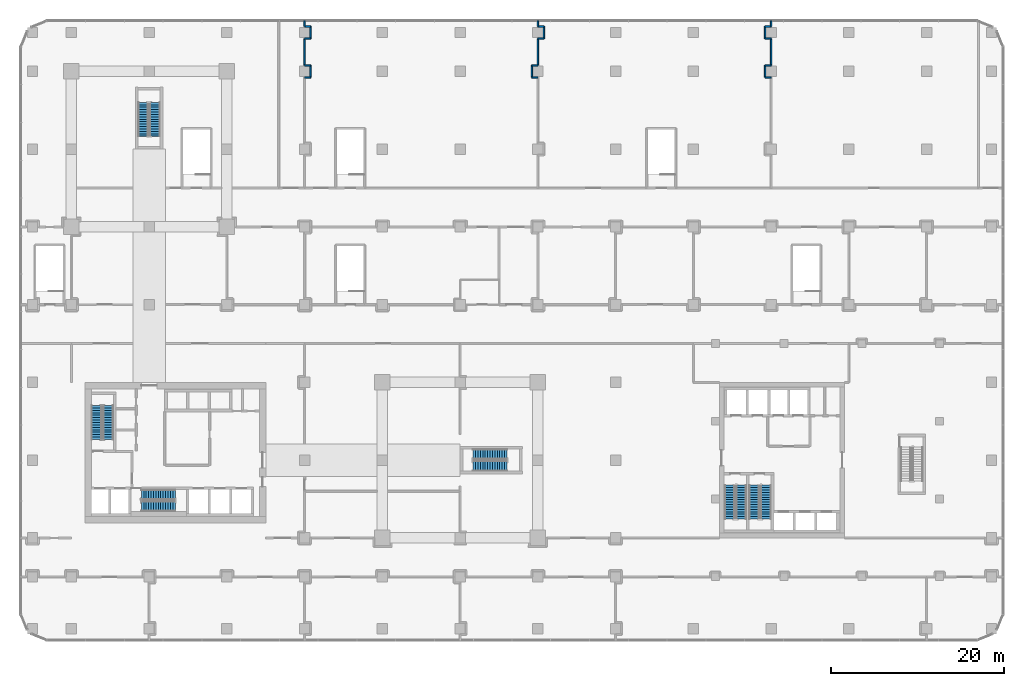
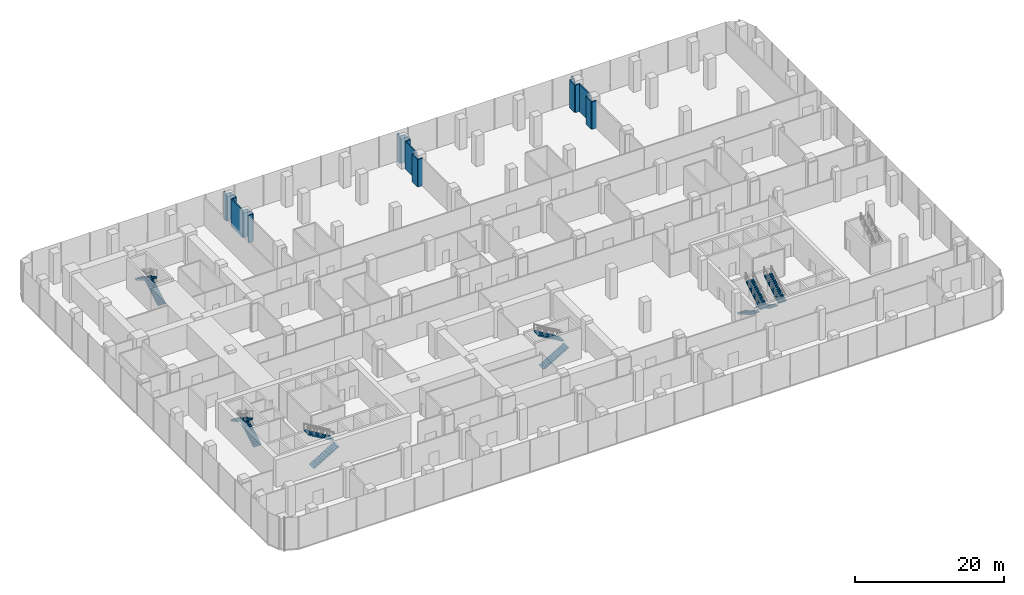
# One storey, part 32 of 36: 24 walls, 12 stair flights, 6 elements without a shape of their own.
"""IFC4 building model written with IfcOpenShell, lengths in metres."""

from ifc_helpers import new_model, si_unit, direction, frame, frame_2d, origin, place, context, subcontext, project, spatial, polyline, rectangle, outline, extrude, material, layer, layer_set, type_object, element, aggregate, save


model = new_model("IFC4")

# Units and contexts
model_context = context("Model", 3, precision=1e-05, world=origin(), true_north=direction((0.0, 1.0)))
body_context = subcontext(model_context, "Body", "Model", "MODEL_VIEW")
ifc_project = project(units=[si_unit("LENGTHUNIT", "METRE"), si_unit("AREAUNIT", "SQUARE_METRE"), si_unit("VOLUMEUNIT", "CUBIC_METRE"), si_unit("PLANEANGLEUNIT", "RADIAN"), si_unit("MASSUNIT", "GRAM", prefix="KILO")], contexts=[model_context])

# Site, building, storey
site_placement = place(None, origin())
site = spatial("IfcSite", under=ifc_project, at=site_placement, CompositionType="ELEMENT")
building_placement = place(site_placement, origin())
building = spatial("IfcBuilding", under=site, at=building_placement, Name="Plateau Cross Towers", CompositionType="ELEMENT")
storey_placement = place(building_placement, frame((0.0, 0.0, 21.800048828125)))
storey = spatial("IfcBuildingStorey", under=building, at=storey_placement, Name="L04", CompositionType="ELEMENT", Elevation=21.800048828125)

# Walls
ifc_material_1 = material(Name="Dense masonry block, plastered, acoustic lining", Category="masonry")
ifc_layer = layer(ifc_material_1, 0.179931640625)
ifc_layer_set = layer_set([ifc_layer], Name="Dense masonry block, plastered, acoustic lining")
wall_type = type_object("IfcWallType", Name="Plant room acoustic wall 180", PredefinedType="PARTITIONING", material=ifc_layer_set)
wall_1_placement = place(storey_placement, frame((81.0, 59.85009765625, 0.0), z_axis=(0.0, 0.0, 1.0), x_axis=(0.0, -1.0, 0.0)))
element("IfcWall", 1, at=wall_1_placement, inside=storey, type_object=wall_type, Name="Partition wall", PredefinedType="PARTITIONING", context=body_context, shape_type="SweptSolid", body=[
    extrude(rectangle(XDim=0.650146484375, YDim=0.179931640625, at=frame_2d((0.3251953125, 0.0))), origin(), (0.0, 0.0, 1.0), 4.5),
])
wall_2_placement = place(storey_placement, frame((81.0, 59.199951171875, 0.0), z_axis=(0.0, 0.0, 1.0), x_axis=(-1.0, 0.0, 0.0)))
element("IfcWall", 2, at=wall_2_placement, inside=storey, type_object=wall_type, Name="Partition wall", PredefinedType="PARTITIONING", context=body_context, shape_type="SweptSolid", body=[
    extrude(rectangle(XDim=0.699951171875, YDim=0.179931640625, at=frame_2d((0.35009765625, 0.0))), origin(), (0.0, 0.0, 1.0), 4.5),
])
wall_3_placement = place(storey_placement, frame((80.300048828125, 59.199951171875, 0.0), z_axis=(0.0, 0.0, 1.0), x_axis=(0.0, -1.0, 0.0)))
element("IfcWall", 3, at=wall_3_placement, inside=storey, type_object=wall_type, Name="Partition wall", PredefinedType="PARTITIONING", context=body_context, shape_type="SweptSolid", body=[
    extrude(rectangle(XDim=1.39990234375, YDim=0.179931640625, at=frame_2d((0.699951171875, 0.0))), origin(), (0.0, 0.0, 1.0), 4.5),
])
wall_4_placement = place(storey_placement, frame((80.300048828125, 57.800048828125, 0.0), z_axis=(0.0, 0.0, 1.0), x_axis=(1.0, 0.0, 0.0)))
element("IfcWall", 4, at=wall_4_placement, inside=storey, type_object=wall_type, Name="Partition wall", PredefinedType="PARTITIONING", context=body_context, shape_type="SweptSolid", body=[
    extrude(rectangle(XDim=0.699951171875, YDim=0.179931640625, at=frame_2d((0.35009765625, 0.0))), origin(), (0.0, 0.0, 1.0), 4.5),
])
wall_5_placement = place(storey_placement, frame((81.0, 57.800048828125, 0.0), z_axis=(0.0, 0.0, 1.0), x_axis=(0.0, -1.0, 0.0)))
element("IfcWall", 5, at=wall_5_placement, inside=storey, type_object=wall_type, Name="Partition wall", PredefinedType="PARTITIONING", context=body_context, shape_type="SweptSolid", body=[
    extrude(rectangle(XDim=3.10009765625, YDim=0.179931640625, at=frame_2d((1.550048828125, 0.0))), origin(), (0.0, 0.0, 1.0), 4.5),
])
wall_6_placement = place(storey_placement, frame((81.0, 54.699951171875, 0.0), z_axis=(0.0, 0.0, 1.0), x_axis=(-1.0, 0.0, 0.0)))
element("IfcWall", 6, at=wall_6_placement, inside=storey, type_object=wall_type, Name="Partition wall", PredefinedType="PARTITIONING", context=body_context, shape_type="SweptSolid", body=[
    extrude(rectangle(XDim=0.699951171875, YDim=0.179931640625, at=frame_2d((0.35009765625, 0.0))), origin(), (0.0, 0.0, 1.0), 4.5),
])
wall_7_placement = place(storey_placement, frame((80.300048828125, 54.699951171875, 0.0), z_axis=(0.0, 0.0, 1.0), x_axis=(0.0, -1.0, 0.0)))
element("IfcWall", 7, at=wall_7_placement, inside=storey, type_object=wall_type, Name="Partition wall", PredefinedType="PARTITIONING", context=body_context, shape_type="SweptSolid", body=[
    extrude(rectangle(XDim=1.39990234375, YDim=0.179931640625, at=frame_2d((0.699951171875, 0.0))), origin(), (0.0, 0.0, 1.0), 4.5),
])
wall_8_placement = place(storey_placement, frame((80.300048828125, 53.300048828125, 0.0), z_axis=(0.0, 0.0, 1.0), x_axis=(1.0, 0.0, 0.0)))
element("IfcWall", 8, at=wall_8_placement, inside=storey, type_object=wall_type, Name="Partition wall", PredefinedType="PARTITIONING", context=body_context, shape_type="SweptSolid", body=[
    extrude(rectangle(XDim=0.699951171875, YDim=0.179931640625, at=frame_2d((0.35009765625, 0.0))), origin(), (0.0, 0.0, 1.0), 4.5),
])
wall_9_placement = place(storey_placement, frame((54.0, 59.85009765625, 0.0), z_axis=(0.0, 0.0, 1.0), x_axis=(0.0, -1.0, 0.0)))
element("IfcWall", 9, at=wall_9_placement, inside=storey, type_object=wall_type, Name="Partition wall", PredefinedType="PARTITIONING", context=body_context, shape_type="SweptSolid", body=[
    extrude(rectangle(XDim=0.650146484375, YDim=0.179931640625, at=frame_2d((0.3251953125, 0.0))), origin(), (0.0, 0.0, 1.0), 4.5),
])
wall_10_placement = place(storey_placement, frame((54.0, 59.199951171875, 0.0), z_axis=(0.0, 0.0, 1.0), x_axis=(1.0, 0.0, 0.0)))
element("IfcWall", 10, at=wall_10_placement, inside=storey, type_object=wall_type, Name="Partition wall", PredefinedType="PARTITIONING", context=body_context, shape_type="SweptSolid", body=[
    extrude(rectangle(XDim=0.699951171875, YDim=0.179931640625, at=frame_2d((0.35009765625, 0.0))), origin(), (0.0, 0.0, 1.0), 4.5),
])
wall_11_placement = place(storey_placement, frame((54.699951171875, 59.199951171875, 0.0), z_axis=(0.0, 0.0, 1.0), x_axis=(0.0, -1.0, 0.0)))
element("IfcWall", 11, at=wall_11_placement, inside=storey, type_object=wall_type, Name="Partition wall", PredefinedType="PARTITIONING", context=body_context, shape_type="SweptSolid", body=[
    extrude(rectangle(XDim=1.39990234375, YDim=0.179931640625, at=frame_2d((0.699951171875, 0.0))), origin(), (0.0, 0.0, 1.0), 4.5),
])
wall_12_placement = place(storey_placement, frame((54.699951171875, 57.800048828125, 0.0), z_axis=(0.0, 0.0, 1.0), x_axis=(-1.0, 0.0, 0.0)))
element("IfcWall", 12, at=wall_12_placement, inside=storey, type_object=wall_type, Name="Partition wall", PredefinedType="PARTITIONING", context=body_context, shape_type="SweptSolid", body=[
    extrude(rectangle(XDim=0.699951171875, YDim=0.179931640625, at=frame_2d((0.35009765625, 0.0))), origin(), (0.0, 0.0, 1.0), 4.5),
])
wall_13_placement = place(storey_placement, frame((54.0, 57.800048828125, 0.0), z_axis=(0.0, 0.0, 1.0), x_axis=(0.0, -1.0, 0.0)))
element("IfcWall", 13, at=wall_13_placement, inside=storey, type_object=wall_type, Name="Partition wall", PredefinedType="PARTITIONING", context=body_context, shape_type="SweptSolid", body=[
    extrude(rectangle(XDim=3.10009765625, YDim=0.179931640625, at=frame_2d((1.550048828125, 0.0))), origin(), (0.0, 0.0, 1.0), 4.5),
])
wall_14_placement = place(storey_placement, frame((54.0, 54.699951171875, 0.0), z_axis=(0.0, 0.0, 1.0), x_axis=(-1.0, 0.0, 0.0)))
element("IfcWall", 14, at=wall_14_placement, inside=storey, type_object=wall_type, Name="Partition wall", PredefinedType="PARTITIONING", context=body_context, shape_type="SweptSolid", body=[
    extrude(rectangle(XDim=0.699951171875, YDim=0.179931640625, at=frame_2d((0.35009765625, 0.0))), origin(), (0.0, 0.0, 1.0), 4.5),
])
wall_15_placement = place(storey_placement, frame((53.300048828125, 54.699951171875, 0.0), z_axis=(0.0, 0.0, 1.0), x_axis=(0.0, -1.0, 0.0)))
element("IfcWall", 15, at=wall_15_placement, inside=storey, type_object=wall_type, Name="Partition wall", PredefinedType="PARTITIONING", context=body_context, shape_type="SweptSolid", body=[
    extrude(rectangle(XDim=1.39990234375, YDim=0.179931640625, at=frame_2d((0.699951171875, 0.0))), origin(), (0.0, 0.0, 1.0), 4.5),
])
wall_16_placement = place(storey_placement, frame((53.300048828125, 53.300048828125, 0.0), z_axis=(0.0, 0.0, 1.0), x_axis=(1.0, 0.0, 0.0)))
element("IfcWall", 16, at=wall_16_placement, inside=storey, type_object=wall_type, Name="Partition wall", PredefinedType="PARTITIONING", context=body_context, shape_type="SweptSolid", body=[
    extrude(rectangle(XDim=0.699951171875, YDim=0.179931640625, at=frame_2d((0.35009765625, 0.0))), origin(), (0.0, 0.0, 1.0), 4.5),
])
wall_17_placement = place(storey_placement, frame((27.0, 59.85009765625, 0.0), z_axis=(0.0, 0.0, 1.0), x_axis=(0.0, -1.0, 0.0)))
element("IfcWall", 17, at=wall_17_placement, inside=storey, type_object=wall_type, Name="Partition wall", PredefinedType="PARTITIONING", context=body_context, shape_type="SweptSolid", body=[
    extrude(rectangle(XDim=0.650146484375, YDim=0.179931640625, at=frame_2d((0.3251953125, 0.0))), origin(), (0.0, 0.0, 1.0), 4.5),
])
wall_18_placement = place(storey_placement, frame((27.0, 59.199951171875, 0.0), z_axis=(0.0, 0.0, 1.0), x_axis=(1.0, 0.0, 0.0)))
element("IfcWall", 18, at=wall_18_placement, inside=storey, type_object=wall_type, Name="Partition wall", PredefinedType="PARTITIONING", context=body_context, shape_type="SweptSolid", body=[
    extrude(rectangle(XDim=0.699951171875, YDim=0.179931640625, at=frame_2d((0.35009765625, 0.0))), origin(), (0.0, 0.0, 1.0), 4.5),
])
wall_19_placement = place(storey_placement, frame((27.699951171875, 59.199951171875, 0.0), z_axis=(0.0, 0.0, 1.0), x_axis=(0.0, -1.0, 0.0)))
element("IfcWall", 19, at=wall_19_placement, inside=storey, type_object=wall_type, Name="Partition wall", PredefinedType="PARTITIONING", context=body_context, shape_type="SweptSolid", body=[
    extrude(rectangle(XDim=1.39990234375, YDim=0.179931640625, at=frame_2d((0.699951171875, 0.0))), origin(), (0.0, 0.0, 1.0), 4.5),
])
wall_20_placement = place(storey_placement, frame((27.699951171875, 57.800048828125, 0.0), z_axis=(0.0, 0.0, 1.0), x_axis=(-1.0, 0.0, 0.0)))
element("IfcWall", 20, at=wall_20_placement, inside=storey, type_object=wall_type, Name="Partition wall", PredefinedType="PARTITIONING", context=body_context, shape_type="SweptSolid", body=[
    extrude(rectangle(XDim=0.699951171875, YDim=0.179931640625, at=frame_2d((0.35009765625, 0.0))), origin(), (0.0, 0.0, 1.0), 4.5),
])
wall_21_placement = place(storey_placement, frame((27.0, 57.800048828125, 0.0), z_axis=(0.0, 0.0, 1.0), x_axis=(0.0, -1.0, 0.0)))
element("IfcWall", 21, at=wall_21_placement, inside=storey, type_object=wall_type, Name="Partition wall", PredefinedType="PARTITIONING", context=body_context, shape_type="SweptSolid", body=[
    extrude(rectangle(XDim=3.10009765625, YDim=0.179931640625, at=frame_2d((1.550048828125, 0.0))), origin(), (0.0, 0.0, 1.0), 4.5),
])
wall_22_placement = place(storey_placement, frame((27.0, 54.699951171875, 0.0), z_axis=(0.0, 0.0, 1.0), x_axis=(1.0, 0.0, 0.0)))
element("IfcWall", 22, at=wall_22_placement, inside=storey, type_object=wall_type, Name="Partition wall", PredefinedType="PARTITIONING", context=body_context, shape_type="SweptSolid", body=[
    extrude(rectangle(XDim=0.699951171875, YDim=0.179931640625, at=frame_2d((0.35009765625, 0.0))), origin(), (0.0, 0.0, 1.0), 4.5),
])
wall_23_placement = place(storey_placement, frame((27.699951171875, 54.699951171875, 0.0), z_axis=(0.0, 0.0, 1.0), x_axis=(0.0, -1.0, 0.0)))
element("IfcWall", 23, at=wall_23_placement, inside=storey, type_object=wall_type, Name="Partition wall", PredefinedType="PARTITIONING", context=body_context, shape_type="SweptSolid", body=[
    extrude(rectangle(XDim=1.39990234375, YDim=0.179931640625, at=frame_2d((0.699951171875, 0.0))), origin(), (0.0, 0.0, 1.0), 4.5),
])
wall_24_placement = place(storey_placement, frame((27.699951171875, 53.300048828125, 0.0), z_axis=(0.0, 0.0, 1.0), x_axis=(-1.0, 0.0, 0.0)))
element("IfcWall", 24, at=wall_24_placement, inside=storey, type_object=wall_type, Name="Partition wall", PredefinedType="PARTITIONING", context=body_context, shape_type="SweptSolid", body=[
    extrude(rectangle(XDim=0.699951171875, YDim=0.179931640625, at=frame_2d((0.35009765625, 0.0))), origin(), (0.0, 0.0, 1.0), 4.5),
])

# Stair, stair flights
ifc_material_2 = material(Name="Concrete C40/50", Category="concrete")
stair_type = type_object("IfcStairType", Name="ST-TWR", PredefinedType="HALF_TURN_STAIR", material=ifc_material_2)
stair_1_placement = place(storey_placement, origin())
stair_1 = element("IfcStair", 25, at=stair_1_placement, inside=storey, type_object=stair_type, Name="L04 Protected Exit Stair ST-1", PredefinedType="HALF_TURN_STAIR")
stair_flight_type = type_object("IfcStairFlightType", Name="SFL-RC", PredefinedType="STRAIGHT", material=ifc_material_2)
stair_flight_1_placement = place(storey_placement, frame((4.25, 11.39990234375, 0.0), z_axis=(0.0, 0.0, 1.0), x_axis=(0.0, 1.0, 0.0)))
stair_flight_1 = element("IfcStairFlight", 26, at=stair_flight_1_placement, type_object=stair_flight_type, Name="ST-1 flight 1", NumberOfRisers=15, NumberOfTreads=14, PredefinedType="STRAIGHT", RiserHeight=0.166666667, TreadLength=0.28, context=body_context, shape_type="SweptSolid", body=[
    extrude(outline(polyline([(-0.0048828125, -0.010009765625), (-0.0048828125, 0.0), (0.0, 0.0), (0.0, 0.166748046875), (0.280029296875, 0.166748046875), (0.280029296875, 0.333251953125), (0.56005859375, 0.333251953125), (0.56005859375, 0.5), (0.840087890625, 0.5), (0.840087890625, 0.666748046875), (1.1201171875, 0.666748046875), (1.1201171875, 0.833251953125), (1.39990234375, 0.833251953125), (1.39990234375, 1.0), (1.679931640625, 1.0), (1.679931640625, 1.166748046875), (1.9599609375, 1.166748046875), (1.9599609375, 1.333251953125), (2.239990234375, 1.333251953125), (2.239990234375, 1.5), (2.52001953125, 1.5), (2.52001953125, 1.666748046875), (2.800048828125, 1.666748046875), (2.800048828125, 1.833251953125), (3.080078125, 1.833251953125), (3.080078125, 2.0), (3.360107421875, 2.0), (3.360107421875, 2.166748046875), (3.639892578125, 2.166748046875), (3.639892578125, 2.333251953125), (3.919921875, 2.333251953125), (3.925048828125, 2.3232421875), (3.925048828125, 2.158935546875), (3.919921875, 2.158935546875), (0.29296875, 0.0), (0.02001953125, 0.0), (0.02001953125, -0.010009765625), (-0.0048828125, -0.010009765625)])), frame((0.0, 0.60009765625, 0.0), z_axis=(0.0, -1.0, 0.0), x_axis=(1.0, 0.0, 0.0)), (0.0, 0.0, 1.0), 1.199951171875),
])
stair_flight_2_placement = place(storey_placement, frame((2.89990234375, 15.320068359375, 2.5), z_axis=(0.0, 0.0, 1.0), x_axis=(0.0, -1.0, 0.0)))
stair_flight_2 = element("IfcStairFlight", 27, at=stair_flight_2_placement, type_object=stair_flight_type, Name="ST-1 flight 2", NumberOfRisers=15, NumberOfTreads=14, PredefinedType="STRAIGHT", RiserHeight=0.166666667, TreadLength=0.28, context=body_context, shape_type="SweptSolid", body=[
    extrude(outline(polyline([(-0.0048828125, -0.010009765625), (-0.0048828125, 0.0), (0.0, 0.0), (0.0, 0.166748046875), (0.280029296875, 0.166748046875), (0.280029296875, 0.333251953125), (0.56005859375, 0.333251953125), (0.56005859375, 0.5), (0.840087890625, 0.5), (0.840087890625, 0.666748046875), (1.1201171875, 0.666748046875), (1.1201171875, 0.833251953125), (1.39990234375, 0.833251953125), (1.39990234375, 1.0), (1.679931640625, 1.0), (1.679931640625, 1.166748046875), (1.9599609375, 1.166748046875), (1.9599609375, 1.333251953125), (2.239990234375, 1.333251953125), (2.239990234375, 1.5), (2.52001953125, 1.5), (2.52001953125, 1.666748046875), (2.800048828125, 1.666748046875), (2.800048828125, 1.833251953125), (3.080078125, 1.833251953125), (3.080078125, 2.0), (3.360107421875, 2.0), (3.360107421875, 2.166748046875), (3.639892578125, 2.166748046875), (3.639892578125, 2.333251953125), (3.919921875, 2.333251953125), (3.925048828125, 2.3232421875), (3.925048828125, 2.158935546875), (3.919921875, 2.158935546875), (0.29296875, 0.0), (0.02001953125, 0.0), (0.02001953125, -0.010009765625), (-0.0048828125, -0.010009765625)])), frame((0.0, 0.60009765625, 0.0), z_axis=(0.0, -1.0, 0.0), x_axis=(1.0, 0.0, 0.0)), (0.0, 0.0, 1.0), 1.199951171875),
])
aggregate(stair_1, [stair_flight_1, stair_flight_2])

stair_2_placement = place(storey_placement, origin())
stair_2 = element("IfcStair", 28, at=stair_2_placement, inside=storey, type_object=stair_type, Name="L04 Protected Exit Stair ST-2", PredefinedType="HALF_TURN_STAIR")
stair_flight_3_placement = place(storey_placement, frame((8.10009765625, 3.64990234375, 0.0), z_axis=(0.0, 0.0, 1.0), x_axis=(1.0, 0.0, 0.0)))
stair_flight_3 = element("IfcStairFlight", 29, at=stair_flight_3_placement, type_object=stair_flight_type, Name="ST-2 flight 1", NumberOfRisers=15, NumberOfTreads=14, PredefinedType="STRAIGHT", RiserHeight=0.166666667, TreadLength=0.28, context=body_context, shape_type="SweptSolid", body=[
    extrude(outline(polyline([(-0.0048828125, -0.010009765625), (-0.0048828125, 0.0), (0.0, 0.0), (0.0, 0.166748046875), (0.280029296875, 0.166748046875), (0.280029296875, 0.333251953125), (0.56005859375, 0.333251953125), (0.56005859375, 0.5), (0.840087890625, 0.5), (0.840087890625, 0.666748046875), (1.1201171875, 0.666748046875), (1.1201171875, 0.833251953125), (1.39990234375, 0.833251953125), (1.39990234375, 1.0), (1.679931640625, 1.0), (1.679931640625, 1.166748046875), (1.9599609375, 1.166748046875), (1.9599609375, 1.333251953125), (2.239990234375, 1.333251953125), (2.239990234375, 1.5), (2.52001953125, 1.5), (2.52001953125, 1.666748046875), (2.800048828125, 1.666748046875), (2.800048828125, 1.833251953125), (3.080078125, 1.833251953125), (3.080078125, 2.0), (3.360107421875, 2.0), (3.360107421875, 2.166748046875), (3.639892578125, 2.166748046875), (3.639892578125, 2.333251953125), (3.919921875, 2.333251953125), (3.925048828125, 2.3232421875), (3.925048828125, 2.158935546875), (3.919921875, 2.158935546875), (0.29296875, 0.0), (0.02001953125, 0.0), (0.02001953125, -0.010009765625), (-0.0048828125, -0.010009765625)])), frame((0.0, 0.60009765625, 0.0), z_axis=(0.0, -1.0, 0.0), x_axis=(1.0, 0.0, 0.0)), (0.0, 0.0, 1.0), 1.199951171875),
])
stair_flight_4_placement = place(storey_placement, frame((12.02001953125, 5.0, 2.5), z_axis=(0.0, 0.0, 1.0), x_axis=(-1.0, 0.0, 0.0)))
stair_flight_4 = element("IfcStairFlight", 30, at=stair_flight_4_placement, type_object=stair_flight_type, Name="ST-2 flight 2", NumberOfRisers=15, NumberOfTreads=14, PredefinedType="STRAIGHT", RiserHeight=0.166666667, TreadLength=0.28, context=body_context, shape_type="SweptSolid", body=[
    extrude(outline(polyline([(-0.0048828125, -0.010009765625), (-0.0048828125, 0.0), (0.0, 0.0), (0.0, 0.166748046875), (0.280029296875, 0.166748046875), (0.280029296875, 0.333251953125), (0.56005859375, 0.333251953125), (0.56005859375, 0.5), (0.840087890625, 0.5), (0.840087890625, 0.666748046875), (1.1201171875, 0.666748046875), (1.1201171875, 0.833251953125), (1.39990234375, 0.833251953125), (1.39990234375, 1.0), (1.679931640625, 1.0), (1.679931640625, 1.166748046875), (1.9599609375, 1.166748046875), (1.9599609375, 1.333251953125), (2.239990234375, 1.333251953125), (2.239990234375, 1.5), (2.52001953125, 1.5), (2.52001953125, 1.666748046875), (2.800048828125, 1.666748046875), (2.800048828125, 1.833251953125), (3.080078125, 1.833251953125), (3.080078125, 2.0), (3.360107421875, 2.0), (3.360107421875, 2.166748046875), (3.639892578125, 2.166748046875), (3.639892578125, 2.333251953125), (3.919921875, 2.333251953125), (3.925048828125, 2.3232421875), (3.925048828125, 2.158935546875), (3.919921875, 2.158935546875), (0.29296875, 0.0), (0.02001953125, 0.0), (0.02001953125, -0.010009765625), (-0.0048828125, -0.010009765625)])), frame((0.0, 0.60009765625, 0.0), z_axis=(0.0, -1.0, 0.0), x_axis=(1.0, 0.0, 0.0)), (0.0, 0.0, 1.0), 1.199951171875),
])
aggregate(stair_2, [stair_flight_3, stair_flight_4])

stair_3_placement = place(storey_placement, origin())
stair_3 = element("IfcStair", 31, at=stair_3_placement, inside=storey, type_object=stair_type, Name="L04 Protected Exit Stair SB-1", PredefinedType="HALF_TURN_STAIR")
stair_flight_5_placement = place(storey_placement, frame((76.199951171875, 6.10009765625, 0.0), z_axis=(0.0, 0.0, 1.0), x_axis=(0.0, -1.0, 0.0)))
stair_flight_5 = element("IfcStairFlight", 32, at=stair_flight_5_placement, type_object=stair_flight_type, Name="SB-1 flight 1", NumberOfRisers=15, NumberOfTreads=14, PredefinedType="STRAIGHT", RiserHeight=0.166666667, TreadLength=0.28, context=body_context, shape_type="SweptSolid", body=[
    extrude(outline(polyline([(-0.0048828125, -0.010009765625), (-0.0048828125, 0.0), (0.0, 0.0), (0.0, 0.166748046875), (0.280029296875, 0.166748046875), (0.280029296875, 0.333251953125), (0.56005859375, 0.333251953125), (0.56005859375, 0.5), (0.840087890625, 0.5), (0.840087890625, 0.666748046875), (1.1201171875, 0.666748046875), (1.1201171875, 0.833251953125), (1.39990234375, 0.833251953125), (1.39990234375, 1.0), (1.679931640625, 1.0), (1.679931640625, 1.166748046875), (1.9599609375, 1.166748046875), (1.9599609375, 1.333251953125), (2.239990234375, 1.333251953125), (2.239990234375, 1.5), (2.52001953125, 1.5), (2.52001953125, 1.666748046875), (2.800048828125, 1.666748046875), (2.800048828125, 1.833251953125), (3.080078125, 1.833251953125), (3.080078125, 2.0), (3.360107421875, 2.0), (3.360107421875, 2.166748046875), (3.639892578125, 2.166748046875), (3.639892578125, 2.333251953125), (3.919921875, 2.333251953125), (3.925048828125, 2.3232421875), (3.925048828125, 2.158935546875), (3.919921875, 2.158935546875), (0.29296875, 0.0), (0.02001953125, 0.0), (0.02001953125, -0.010009765625), (-0.0048828125, -0.010009765625)])), frame((0.0, 0.60009765625, 0.0), z_axis=(0.0, -1.0, 0.0), x_axis=(1.0, 0.0, 0.0)), (0.0, 0.0, 1.0), 1.199951171875),
])
stair_flight_6_placement = place(storey_placement, frame((77.550048828125, 2.179931640625, 2.5), z_axis=(0.0, 0.0, 1.0), x_axis=(0.0, 1.0, 0.0)))
stair_flight_6 = element("IfcStairFlight", 33, at=stair_flight_6_placement, type_object=stair_flight_type, Name="SB-1 flight 2", NumberOfRisers=15, NumberOfTreads=14, PredefinedType="STRAIGHT", RiserHeight=0.166666667, TreadLength=0.28, context=body_context, shape_type="SweptSolid", body=[
    extrude(outline(polyline([(-0.0048828125, -0.010009765625), (-0.0048828125, 0.0), (0.0, 0.0), (0.0, 0.166748046875), (0.280029296875, 0.166748046875), (0.280029296875, 0.333251953125), (0.56005859375, 0.333251953125), (0.56005859375, 0.5), (0.840087890625, 0.5), (0.840087890625, 0.666748046875), (1.1201171875, 0.666748046875), (1.1201171875, 0.833251953125), (1.39990234375, 0.833251953125), (1.39990234375, 1.0), (1.679931640625, 1.0), (1.679931640625, 1.166748046875), (1.9599609375, 1.166748046875), (1.9599609375, 1.333251953125), (2.239990234375, 1.333251953125), (2.239990234375, 1.5), (2.52001953125, 1.5), (2.52001953125, 1.666748046875), (2.800048828125, 1.666748046875), (2.800048828125, 1.833251953125), (3.080078125, 1.833251953125), (3.080078125, 2.0), (3.360107421875, 2.0), (3.360107421875, 2.166748046875), (3.639892578125, 2.166748046875), (3.639892578125, 2.333251953125), (3.919921875, 2.333251953125), (3.925048828125, 2.3232421875), (3.925048828125, 2.158935546875), (3.919921875, 2.158935546875), (0.29296875, 0.0), (0.02001953125, 0.0), (0.02001953125, -0.010009765625), (-0.0048828125, -0.010009765625)])), frame((0.0, 0.60009765625, 0.0), z_axis=(0.0, -1.0, 0.0), x_axis=(1.0, 0.0, 0.0)), (0.0, 0.0, 1.0), 1.199951171875),
])
aggregate(stair_3, [stair_flight_5, stair_flight_6])

stair_4_placement = place(storey_placement, origin())
stair_4 = element("IfcStair", 34, at=stair_4_placement, inside=storey, type_object=stair_type, Name="L04 Protected Exit Stair SB-2", PredefinedType="HALF_TURN_STAIR")
stair_flight_7_placement = place(storey_placement, frame((79.050048828125, 6.10009765625, 0.0), z_axis=(0.0, 0.0, 1.0), x_axis=(0.0, -1.0, 0.0)))
stair_flight_7 = element("IfcStairFlight", 35, at=stair_flight_7_placement, type_object=stair_flight_type, Name="SB-2 flight 1", NumberOfRisers=15, NumberOfTreads=14, PredefinedType="STRAIGHT", RiserHeight=0.166666667, TreadLength=0.28, context=body_context, shape_type="SweptSolid", body=[
    extrude(outline(polyline([(-0.0048828125, -0.010009765625), (-0.0048828125, 0.0), (0.0, 0.0), (0.0, 0.166748046875), (0.280029296875, 0.166748046875), (0.280029296875, 0.333251953125), (0.56005859375, 0.333251953125), (0.56005859375, 0.5), (0.840087890625, 0.5), (0.840087890625, 0.666748046875), (1.1201171875, 0.666748046875), (1.1201171875, 0.833251953125), (1.39990234375, 0.833251953125), (1.39990234375, 1.0), (1.679931640625, 1.0), (1.679931640625, 1.166748046875), (1.9599609375, 1.166748046875), (1.9599609375, 1.333251953125), (2.239990234375, 1.333251953125), (2.239990234375, 1.5), (2.52001953125, 1.5), (2.52001953125, 1.666748046875), (2.800048828125, 1.666748046875), (2.800048828125, 1.833251953125), (3.080078125, 1.833251953125), (3.080078125, 2.0), (3.360107421875, 2.0), (3.360107421875, 2.166748046875), (3.639892578125, 2.166748046875), (3.639892578125, 2.333251953125), (3.919921875, 2.333251953125), (3.925048828125, 2.3232421875), (3.925048828125, 2.158935546875), (3.919921875, 2.158935546875), (0.29296875, 0.0), (0.02001953125, 0.0), (0.02001953125, -0.010009765625), (-0.0048828125, -0.010009765625)])), frame((0.0, 0.60009765625, 0.0), z_axis=(0.0, -1.0, 0.0), x_axis=(1.0, 0.0, 0.0)), (0.0, 0.0, 1.0), 1.199951171875),
])
stair_flight_8_placement = place(storey_placement, frame((80.39990234375, 2.179931640625, 2.5), z_axis=(0.0, 0.0, 1.0), x_axis=(0.0, 1.0, 0.0)))
stair_flight_8 = element("IfcStairFlight", 36, at=stair_flight_8_placement, type_object=stair_flight_type, Name="SB-2 flight 2", NumberOfRisers=15, NumberOfTreads=14, PredefinedType="STRAIGHT", RiserHeight=0.166666667, TreadLength=0.28, context=body_context, shape_type="SweptSolid", body=[
    extrude(outline(polyline([(-0.0048828125, -0.010009765625), (-0.0048828125, 0.0), (0.0, 0.0), (0.0, 0.166748046875), (0.280029296875, 0.166748046875), (0.280029296875, 0.333251953125), (0.56005859375, 0.333251953125), (0.56005859375, 0.5), (0.840087890625, 0.5), (0.840087890625, 0.666748046875), (1.1201171875, 0.666748046875), (1.1201171875, 0.833251953125), (1.39990234375, 0.833251953125), (1.39990234375, 1.0), (1.679931640625, 1.0), (1.679931640625, 1.166748046875), (1.9599609375, 1.166748046875), (1.9599609375, 1.333251953125), (2.239990234375, 1.333251953125), (2.239990234375, 1.5), (2.52001953125, 1.5), (2.52001953125, 1.666748046875), (2.800048828125, 1.666748046875), (2.800048828125, 1.833251953125), (3.080078125, 1.833251953125), (3.080078125, 2.0), (3.360107421875, 2.0), (3.360107421875, 2.166748046875), (3.639892578125, 2.166748046875), (3.639892578125, 2.333251953125), (3.919921875, 2.333251953125), (3.925048828125, 2.3232421875), (3.925048828125, 2.158935546875), (3.919921875, 2.158935546875), (0.29296875, 0.0), (0.02001953125, 0.0), (0.02001953125, -0.010009765625), (-0.0048828125, -0.010009765625)])), frame((0.0, 0.60009765625, 0.0), z_axis=(0.0, -1.0, 0.0), x_axis=(1.0, 0.0, 0.0)), (0.0, 0.0, 1.0), 1.199951171875),
])
aggregate(stair_4, [stair_flight_7, stair_flight_8])

stair_5_placement = place(storey_placement, origin())
stair_5 = element("IfcStair", 37, at=stair_5_placement, inside=storey, type_object=stair_type, Name="L04 Protected Exit Stair E", PredefinedType="HALF_TURN_STAIR")
stair_flight_9_placement = place(storey_placement, frame((46.5, 8.324951171875, 0.0), z_axis=(0.0, 0.0, 1.0), x_axis=(1.0, 0.0, 0.0)))
stair_flight_9 = element("IfcStairFlight", 38, at=stair_flight_9_placement, type_object=stair_flight_type, Name="ES-E flight 1", NumberOfRisers=15, NumberOfTreads=14, PredefinedType="STRAIGHT", RiserHeight=0.166666667, TreadLength=0.28, context=body_context, shape_type="SweptSolid", body=[
    extrude(outline(polyline([(-0.0048828125, -0.010009765625), (-0.0048828125, 0.0), (0.0, 0.0), (0.0, 0.166748046875), (0.280029296875, 0.166748046875), (0.280029296875, 0.333251953125), (0.56005859375, 0.333251953125), (0.56005859375, 0.5), (0.840087890625, 0.5), (0.840087890625, 0.666748046875), (1.1201171875, 0.666748046875), (1.1201171875, 0.833251953125), (1.39990234375, 0.833251953125), (1.39990234375, 1.0), (1.679931640625, 1.0), (1.679931640625, 1.166748046875), (1.9599609375, 1.166748046875), (1.9599609375, 1.333251953125), (2.239990234375, 1.333251953125), (2.239990234375, 1.5), (2.52001953125, 1.5), (2.52001953125, 1.666748046875), (2.800048828125, 1.666748046875), (2.800048828125, 1.833251953125), (3.080078125, 1.833251953125), (3.080078125, 2.0), (3.360107421875, 2.0), (3.360107421875, 2.166748046875), (3.639892578125, 2.166748046875), (3.639892578125, 2.333251953125), (3.919921875, 2.333251953125), (3.925048828125, 2.3232421875), (3.925048828125, 2.158935546875), (3.919921875, 2.158935546875), (0.29296875, 0.0), (0.02001953125, 0.0), (0.02001953125, -0.010009765625), (-0.0048828125, -0.010009765625)])), frame((0.0, 0.60009765625, 0.0), z_axis=(0.0, -1.0, 0.0), x_axis=(1.0, 0.0, 0.0)), (0.0, 0.0, 1.0), 1.199951171875),
])
stair_flight_10_placement = place(storey_placement, frame((50.419921875, 9.675048828125, 2.5), z_axis=(0.0, 0.0, 1.0), x_axis=(-1.0, 0.0, 0.0)))
stair_flight_10 = element("IfcStairFlight", 39, at=stair_flight_10_placement, type_object=stair_flight_type, Name="ES-E flight 2", NumberOfRisers=15, NumberOfTreads=14, PredefinedType="STRAIGHT", RiserHeight=0.166666667, TreadLength=0.28, context=body_context, shape_type="SweptSolid", body=[
    extrude(outline(polyline([(-0.0048828125, -0.010009765625), (-0.0048828125, 0.0), (0.0, 0.0), (0.0, 0.166748046875), (0.280029296875, 0.166748046875), (0.280029296875, 0.333251953125), (0.56005859375, 0.333251953125), (0.56005859375, 0.5), (0.840087890625, 0.5), (0.840087890625, 0.666748046875), (1.1201171875, 0.666748046875), (1.1201171875, 0.833251953125), (1.39990234375, 0.833251953125), (1.39990234375, 1.0), (1.679931640625, 1.0), (1.679931640625, 1.166748046875), (1.9599609375, 1.166748046875), (1.9599609375, 1.333251953125), (2.239990234375, 1.333251953125), (2.239990234375, 1.5), (2.52001953125, 1.5), (2.52001953125, 1.666748046875), (2.800048828125, 1.666748046875), (2.800048828125, 1.833251953125), (3.080078125, 1.833251953125), (3.080078125, 2.0), (3.360107421875, 2.0), (3.360107421875, 2.166748046875), (3.639892578125, 2.166748046875), (3.639892578125, 2.333251953125), (3.919921875, 2.333251953125), (3.925048828125, 2.3232421875), (3.925048828125, 2.158935546875), (3.919921875, 2.158935546875), (0.29296875, 0.0), (0.02001953125, 0.0), (0.02001953125, -0.010009765625), (-0.0048828125, -0.010009765625)])), frame((0.0, 0.60009765625, 0.0), z_axis=(0.0, -1.0, 0.0), x_axis=(1.0, 0.0, 0.0)), (0.0, 0.0, 1.0), 1.199951171875),
])
aggregate(stair_5, [stair_flight_9, stair_flight_10])

stair_6_placement = place(storey_placement, origin())
stair_6 = element("IfcStair", 40, at=stair_6_placement, inside=storey, type_object=stair_type, Name="L04 Protected Exit Stair N", PredefinedType="HALF_TURN_STAIR")
stair_flight_11_placement = place(storey_placement, frame((9.675048828125, 46.5, 0.0), z_axis=(0.0, 0.0, 1.0), x_axis=(0.0, 1.0, 0.0)))
stair_flight_11 = element("IfcStairFlight", 41, at=stair_flight_11_placement, type_object=stair_flight_type, Name="ES-N flight 1", NumberOfRisers=15, NumberOfTreads=14, PredefinedType="STRAIGHT", RiserHeight=0.166666667, TreadLength=0.28, context=body_context, shape_type="SweptSolid", body=[
    extrude(outline(polyline([(-0.0048828125, -0.010009765625), (-0.0048828125, 0.0), (0.0, 0.0), (0.0, 0.166748046875), (0.280029296875, 0.166748046875), (0.280029296875, 0.333251953125), (0.56005859375, 0.333251953125), (0.56005859375, 0.5), (0.840087890625, 0.5), (0.840087890625, 0.666748046875), (1.1201171875, 0.666748046875), (1.1201171875, 0.833251953125), (1.39990234375, 0.833251953125), (1.39990234375, 1.0), (1.679931640625, 1.0), (1.679931640625, 1.166748046875), (1.9599609375, 1.166748046875), (1.9599609375, 1.333251953125), (2.239990234375, 1.333251953125), (2.239990234375, 1.5), (2.52001953125, 1.5), (2.52001953125, 1.666748046875), (2.800048828125, 1.666748046875), (2.800048828125, 1.833251953125), (3.080078125, 1.833251953125), (3.080078125, 2.0), (3.360107421875, 2.0), (3.360107421875, 2.166748046875), (3.639892578125, 2.166748046875), (3.639892578125, 2.333251953125), (3.919921875, 2.333251953125), (3.925048828125, 2.3232421875), (3.925048828125, 2.158935546875), (3.919921875, 2.158935546875), (0.29296875, 0.0), (0.02001953125, 0.0), (0.02001953125, -0.010009765625), (-0.0048828125, -0.010009765625)])), frame((0.0, 0.60009765625, 0.0), z_axis=(0.0, -1.0, 0.0), x_axis=(1.0, 0.0, 0.0)), (0.0, 0.0, 1.0), 1.199951171875),
])
stair_flight_12_placement = place(storey_placement, frame((8.324951171875, 50.419921875, 2.5), z_axis=(0.0, 0.0, 1.0), x_axis=(0.0, -1.0, 0.0)))
stair_flight_12 = element("IfcStairFlight", 42, at=stair_flight_12_placement, type_object=stair_flight_type, Name="ES-N flight 2", NumberOfRisers=15, NumberOfTreads=14, PredefinedType="STRAIGHT", RiserHeight=0.166666667, TreadLength=0.28, context=body_context, shape_type="SweptSolid", body=[
    extrude(outline(polyline([(-0.0048828125, -0.010009765625), (-0.0048828125, 0.0), (0.0, 0.0), (0.0, 0.166748046875), (0.280029296875, 0.166748046875), (0.280029296875, 0.333251953125), (0.56005859375, 0.333251953125), (0.56005859375, 0.5), (0.840087890625, 0.5), (0.840087890625, 0.666748046875), (1.1201171875, 0.666748046875), (1.1201171875, 0.833251953125), (1.39990234375, 0.833251953125), (1.39990234375, 1.0), (1.679931640625, 1.0), (1.679931640625, 1.166748046875), (1.9599609375, 1.166748046875), (1.9599609375, 1.333251953125), (2.239990234375, 1.333251953125), (2.239990234375, 1.5), (2.52001953125, 1.5), (2.52001953125, 1.666748046875), (2.800048828125, 1.666748046875), (2.800048828125, 1.833251953125), (3.080078125, 1.833251953125), (3.080078125, 2.0), (3.360107421875, 2.0), (3.360107421875, 2.166748046875), (3.639892578125, 2.166748046875), (3.639892578125, 2.333251953125), (3.919921875, 2.333251953125), (3.925048828125, 2.3232421875), (3.925048828125, 2.158935546875), (3.919921875, 2.158935546875), (0.29296875, 0.0), (0.02001953125, 0.0), (0.02001953125, -0.010009765625), (-0.0048828125, -0.010009765625)])), frame((0.0, 0.60009765625, 0.0), z_axis=(0.0, -1.0, 0.0), x_axis=(1.0, 0.0, 0.0)), (0.0, 0.0, 1.0), 1.199951171875),
])
aggregate(stair_6, [stair_flight_11, stair_flight_12])

save(model, "model.ifc")
